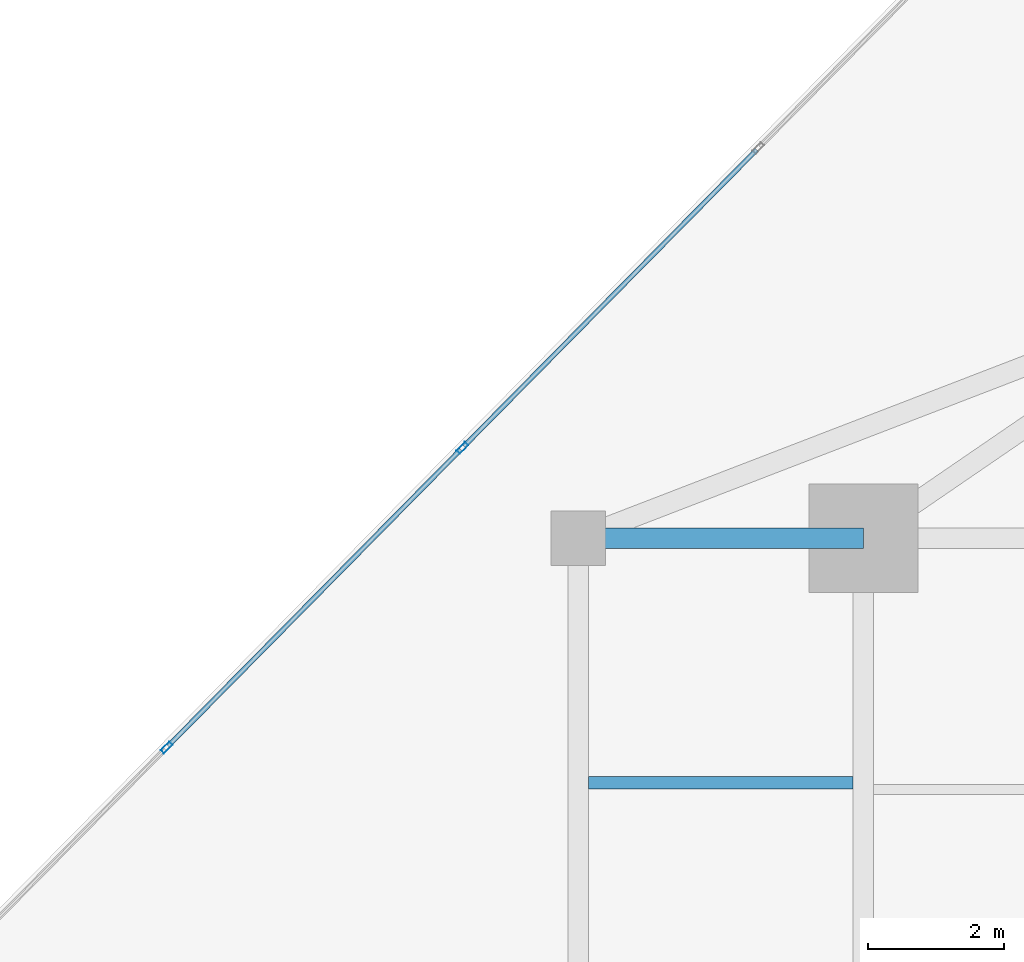
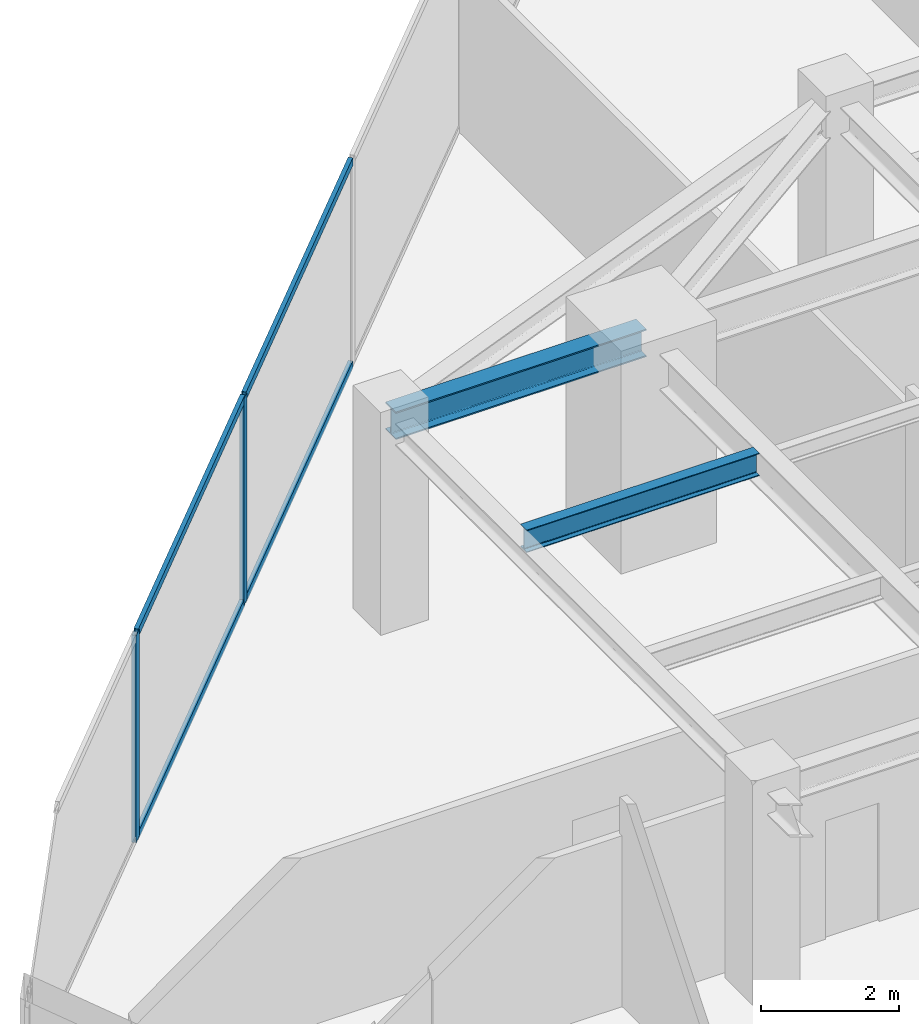
# One storey, part 13 of 24: 6 members, 2 beams, 1 element without a shape of its own.
"""IFC4 building model written with IfcOpenShell, lengths in metres."""

from ifc_helpers import new_model, si_unit, direction, frame, origin, origin_2d, place, context, subcontext, project, spatial, hollow_rectangle, i_section, extrude, source, transform, mapped, material, material_profile, profile_set, type_object, type_shapes, element, aggregate, save


model = new_model("IFC4")

# Units and contexts
model_context = context("Model", 3, precision=1e-05, world=origin(), true_north=direction((0.0, 1.0)))
body_context = subcontext(model_context, "Body", "Model", "MODEL_VIEW")
ifc_project = project(units=[si_unit("LENGTHUNIT", "METRE"), si_unit("AREAUNIT", "SQUARE_METRE"), si_unit("VOLUMEUNIT", "CUBIC_METRE"), si_unit("PLANEANGLEUNIT", "RADIAN"), si_unit("MASSUNIT", "GRAM", prefix="KILO")], contexts=[model_context])

# Site, building, storey
site_placement = place(None, origin())
site = spatial("IfcSite", under=ifc_project, at=site_placement, CompositionType="ELEMENT")
building_placement = place(site_placement, origin())
building = spatial("IfcBuilding", under=site, at=building_placement, Name="Krantzveldt Concourse Tower", CompositionType="ELEMENT")
storey_placement = place(building_placement, frame((0.0, 0.0, 231.0)))
storey = spatial("IfcBuildingStorey", under=building, at=storey_placement, Name="L56", CompositionType="ELEMENT", Elevation=231.0)

# Beams
ifc_material_1 = material(Name="Steel S355JR", Category="steel")
ifc_material_profile_1 = material_profile(ifc_material_1, i_section(OverallWidth=0.300048828125, OverallDepth=0.489990234375, WebThickness=0.011962890625, FlangeThickness=0.02294921875, FilletRadius=0.027099609375, at=origin_2d()), Name="Steel S355JR", Category="steel")
ifc_profile_set_1 = profile_set([ifc_material_profile_1], Name="Steel S355JR - HEA 500")
beam_type_1 = type_object("IfcBeamType", Name="BM-B-HEA500", PredefinedType="BEAM", material=ifc_profile_set_1)
shared_shape_1 = source(origin(), body_context, "Body", "SweptSolid", [
    extrude(i_section(OverallWidth=0.300048828125, OverallDepth=0.489990234375, WebThickness=0.011962890625, FlangeThickness=0.02294921875, FilletRadius=0.027099609375, at=origin_2d()), origin(), (0.0, 0.0, 1.0), 4.199951171875),
])
type_shapes(beam_type_1, [shared_shape_1])
beam_1_placement = place(storey_placement, frame((21.0, 37.5, 3.425048828125), z_axis=(1.0, 0.0, 0.0), x_axis=(0.0, 1.0, 0.0)))
element("IfcBeam", 1, at=beam_1_placement, inside=storey, type_object=beam_type_1, Name="L56 Tower Girder BR-RL3", PredefinedType="BEAM", context=body_context, shape_type="MappedRepresentation", body=[
    mapped(shared_shape_1, transform((0.0, 0.0, 0.0), x_axis=(1.0, 0.0, 0.0), y_axis=(0.0, 1.0, 0.0), z_axis=(0.0, 0.0, 1.0), scale=1.0)),
])
ifc_material_profile_2 = material_profile(ifc_material_1, i_section(OverallWidth=0.179931640625, OverallDepth=0.39990234375, WebThickness=0.008544921875, FlangeThickness=0.013427734375, FilletRadius=0.02099609375, at=origin_2d()), Name="Steel S355JR", Category="steel")
ifc_profile_set_2 = profile_set([ifc_material_profile_2], Name="Steel S355JR - IPE 400")
beam_type_2 = type_object("IfcBeamType", Name="BM-J-IPE400", PredefinedType="JOIST", material=ifc_profile_set_2)
shared_shape_2 = source(origin(), body_context, "Body", "SweptSolid", [
    extrude(i_section(OverallWidth=0.179931640625, OverallDepth=0.39990234375, WebThickness=0.008544921875, FlangeThickness=0.013427734375, FilletRadius=0.02099609375, at=origin_2d()), origin(), (0.0, 0.0, 1.0), 3.900146484375),
])
type_shapes(beam_type_2, [shared_shape_2])
beam_2_placement = place(storey_placement, frame((21.14990234375, 33.89990234375, 3.469970703125), z_axis=(1.0, 0.0, 0.0), x_axis=(0.0, 1.0, 0.0)))
element("IfcBeam", 2, at=beam_2_placement, inside=storey, type_object=beam_type_2, Name="L56 Secondary Floor Joist JW-4", PredefinedType="JOIST", context=body_context, shape_type="MappedRepresentation", body=[
    mapped(shared_shape_2, transform((0.0, 0.0, 0.0), x_axis=(1.0, 0.0, 0.0), y_axis=(0.0, 1.0, 0.0), z_axis=(0.0, 0.0, 1.0), scale=1.0)),
])

# Curtain wall, members
ifc_material_2 = material(Name="Anodised aluminium 6063-T6", Category="aluminium")
curtain_wall_type = type_object("IfcCurtainWallType", Name="CW3", PredefinedType="USERDEFINED", material=ifc_material_2)
curtain_wall_placement = place(storey_placement, origin())
curtain_wall = element("IfcCurtainWall", 3, at=curtain_wall_placement, inside=storey, type_object=curtain_wall_type, Name="CW-L56-F01", ObjectType="UNITISED CURTAIN WALL", PredefinedType="USERDEFINED")
ifc_material_profile_3 = material_profile(ifc_material_2, hollow_rectangle(XDim=0.070068359375, YDim=0.179931640625, WallThickness=0.0048828125, at=origin_2d()), Name="Anodised aluminium 6063-T6", Category="aluminium")
ifc_profile_set_3 = profile_set([ifc_material_profile_3], Name="Anodised aluminium 6063-T6 - ALU-MULL 180x70x5")
member_type_1 = type_object("IfcMemberType", Name="CW-MUL-180", PredefinedType="MULLION", material=ifc_profile_set_3)
shared_shape_3 = source(origin(), body_context, "Body", "SweptSolid", [
    extrude(hollow_rectangle(XDim=0.070068359375, YDim=0.179931640625, WallThickness=0.0048828125, at=origin_2d()), origin(), (0.0, 0.0, 1.0), 3.669921875),
])
type_shapes(member_type_1, [shared_shape_3])
member_1_placement = place(storey_placement, frame((19.296142578125, 38.8310546875, 0.0), z_axis=(0.0, 0.0, 1.0), x_axis=(0.711719700179, -0.702463570854, 0.0)))
member_1 = element("IfcMember", 4, at=member_1_placement, type_object=member_type_1, Name="CW-Z34 mullion 4", PredefinedType="MULLION", context=body_context, shape_type="MappedRepresentation", body=[
    mapped(shared_shape_3, transform((0.0, 0.0, 0.0), x_axis=(1.0, 0.0, 0.0), y_axis=(0.0, 1.0, 0.0), z_axis=(0.0, 0.0, 1.0), scale=1.0)),
])
member_2_placement = place(storey_placement, frame((14.94091796875, 34.418212890625, 0.0), z_axis=(0.0, 0.0, 1.0), x_axis=(0.711719700179, -0.702463570854, 0.0)))
member_2 = element("IfcMember", 5, at=member_2_placement, type_object=member_type_1, Name="CW-Z34 mullion 5", PredefinedType="MULLION", context=body_context, shape_type="MappedRepresentation", body=[
    mapped(shared_shape_3, transform((0.0, 0.0, 0.0), x_axis=(1.0, 0.0, 0.0), y_axis=(0.0, 1.0, 0.0), z_axis=(0.0, 0.0, 1.0), scale=1.0)),
])
ifc_material_profile_4 = material_profile(ifc_material_2, hollow_rectangle(XDim=0.070068359375, YDim=0.139892578125, WallThickness=0.0048828125, at=origin_2d()), Name="Anodised aluminium 6063-T6", Category="aluminium")
ifc_profile_set_4 = profile_set([ifc_material_profile_4], Name="Anodised aluminium 6063-T6 - ALU-TRAN 140x70x5")
member_type_2 = type_object("IfcMemberType", Name="CW-TRN-150", PredefinedType="USERDEFINED", material=ifc_profile_set_4)
shared_shape_4 = source(origin(), body_context, "Body", "SweptSolid", [
    extrude(hollow_rectangle(XDim=0.070068359375, YDim=0.139892578125, WallThickness=0.0048828125, at=origin_2d()), origin(), (0.0, 0.0, 1.0), 6.1298828125),
])
type_shapes(member_type_2, [shared_shape_4])
member_3_placement = place(storey_placement, frame((23.626953125, 43.21875, 0.034912109375), z_axis=(-0.702471736112, -0.71171164102, 0.0), x_axis=(0.71171164102, -0.702471736112, 0.0)))
member_3 = element("IfcMember", 6, at=member_3_placement, type_object=member_type_2, Name="CW-Z34 transom 3.1", ObjectType="TRANSOM", PredefinedType="USERDEFINED", context=body_context, shape_type="MappedRepresentation", body=[
    mapped(shared_shape_4, transform((0.0, 0.0, 0.0), x_axis=(1.0, 0.0, 0.0), y_axis=(0.0, 1.0, 0.0), z_axis=(0.0, 0.0, 1.0), scale=1.0)),
])
member_4_placement = place(storey_placement, frame((23.626953125, 43.21875, 3.635009765625), z_axis=(-0.702471736112, -0.71171164102, 0.0), x_axis=(0.71171164102, -0.702471736112, 0.0)))
member_4 = element("IfcMember", 7, at=member_4_placement, type_object=member_type_2, Name="CW-Z34 transom 3.2", ObjectType="TRANSOM", PredefinedType="USERDEFINED", context=body_context, shape_type="MappedRepresentation", body=[
    mapped(shared_shape_4, transform((0.0, 0.0, 0.0), x_axis=(1.0, 0.0, 0.0), y_axis=(0.0, 1.0, 0.0), z_axis=(0.0, 0.0, 1.0), scale=1.0)),
])
member_5_placement = place(storey_placement, frame((19.271484375, 38.80615234375, 0.034912109375), z_axis=(-0.702431649327, -0.711751205144, 0.0), x_axis=(0.711751205144, -0.702431649327, 0.0)))
member_5 = element("IfcMember", 8, at=member_5_placement, type_object=member_type_2, Name="CW-Z34 transom 4.1", ObjectType="TRANSOM", PredefinedType="USERDEFINED", context=body_context, shape_type="MappedRepresentation", body=[
    mapped(shared_shape_4, transform((0.0, 0.0, 0.0), x_axis=(1.0, 0.0, 0.0), y_axis=(0.0, 1.0, 0.0), z_axis=(0.0, 0.0, 1.0), scale=1.0)),
])
member_6_placement = place(storey_placement, frame((19.271484375, 38.80615234375, 3.635009765625), z_axis=(-0.702431649327, -0.711751205144, 0.0), x_axis=(0.711751205144, -0.702431649327, 0.0)))
member_6 = element("IfcMember", 9, at=member_6_placement, type_object=member_type_2, Name="CW-Z34 transom 4.2", ObjectType="TRANSOM", PredefinedType="USERDEFINED", context=body_context, shape_type="MappedRepresentation", body=[
    mapped(shared_shape_4, transform((0.0, 0.0, 0.0), x_axis=(1.0, 0.0, 0.0), y_axis=(0.0, 1.0, 0.0), z_axis=(0.0, 0.0, 1.0), scale=1.0)),
])
aggregate(curtain_wall, [member_1, member_2, member_3, member_4, member_5, member_6])

save(model, "model.ifc")
